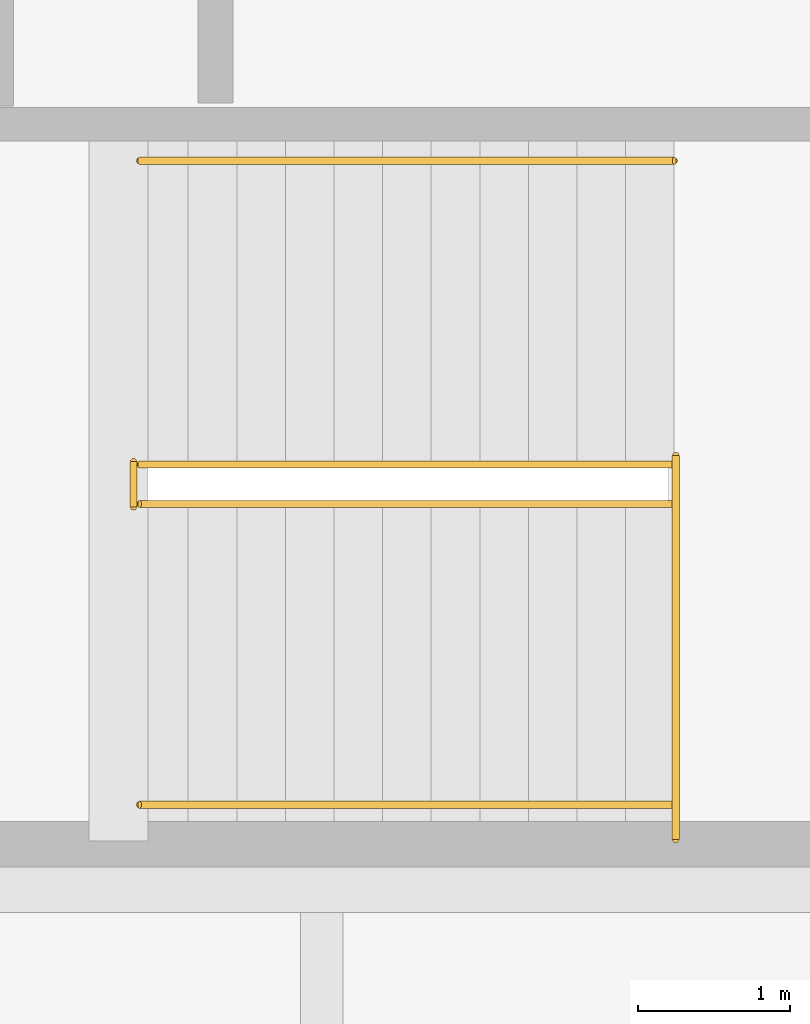
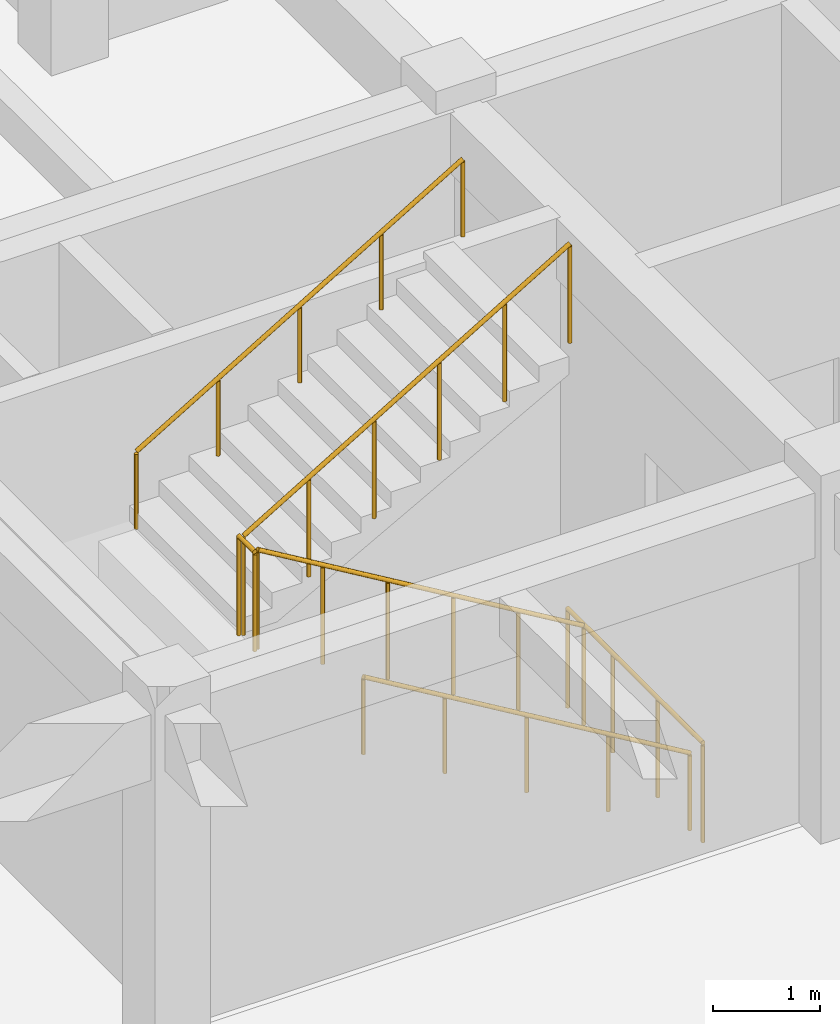
# One storey, part 103 of 103: 6 railings.
"""IFC4 building model written with IfcOpenShell, lengths in metres."""

from ifc_helpers import new_model, si_unit, direction, frame, origin, origin_2d, place, context, subcontext, project, spatial, circle, extrude, material, type_object, element, save


model = new_model("IFC4")

# Units and contexts
model_context = context("Model", 3, precision=1e-05, world=origin(), true_north=direction((0.0, 1.0)))
body_context = subcontext(model_context, "Body", "Model", "MODEL_VIEW")
ifc_project = project(units=[si_unit("LENGTHUNIT", "METRE"), si_unit("AREAUNIT", "SQUARE_METRE"), si_unit("VOLUMEUNIT", "CUBIC_METRE"), si_unit("PLANEANGLEUNIT", "RADIAN"), si_unit("MASSUNIT", "GRAM", prefix="KILO")], contexts=[model_context])

# Site, building, storey
site_placement = place(None, origin())
site = spatial("IfcSite", under=ifc_project, at=site_placement, CompositionType="ELEMENT")
building_placement = place(site_placement, origin())
building = spatial("IfcBuilding", under=site, at=building_placement, Name="Thalmaran Polytechnic", CompositionType="ELEMENT")
storey_placement = place(building_placement, frame((0.0, 0.0, 14.39990234375)))
storey = spatial("IfcBuildingStorey", under=building, at=storey_placement, Name="L03", CompositionType="ELEMENT", Elevation=14.39990234375)

# Railings
ifc_material = material(Name="Stainless steel 316", Category="steel")
railing_type_1 = type_object("IfcRailingType", Name="RL-GR01", PredefinedType="GUARDRAIL", material=ifc_material)
railing_1_placement = place(storey_placement, frame((142.72998046875, 86.64990234375, 0.0)))
element("IfcRailing", 1, at=railing_1_placement, inside=storey, type_object=railing_type_1, Name="ST5 L03 Landing Edge Guardrail", PredefinedType="GUARDRAIL", context=body_context, shape_type="SweptSolid", body=[
    extrude(circle(Radius=0.02392578125, at=origin_2d()), frame((0.0, 0.0, 1.1259765625), z_axis=(0.0, 1.0, 0.0), x_axis=(-1.0, 0.0, 0.0)), (0.0, 0.0, 1.0), 2.530029296875),
    extrude(circle(Radius=0.02099609375, at=origin_2d()), origin(), (0.0, 0.0, 1.0), 1.101806640625),
    extrude(circle(Radius=0.02099609375, at=origin_2d()), frame((0.0, 0.84326171875, 0.0)), (0.0, 0.0, 1.0), 1.101806640625),
    extrude(circle(Radius=0.02099609375, at=origin_2d()), frame((0.0, 1.686767578125, 0.0)), (0.0, 0.0, 1.0), 1.101806640625),
    extrude(circle(Radius=0.02099609375, at=origin_2d()), frame((0.0, 2.530029296875, 0.0)), (0.0, 0.0, 1.0), 1.101806640625),
])
railing_2_placement = place(storey_placement, frame((142.719970703125, 88.860107421875, 0.0)))
element("IfcRailing", 2, at=railing_2_placement, inside=storey, type_object=railing_type_1, Name="ST5 L03 Lower Flight Guardrail", PredefinedType="GUARDRAIL", context=body_context, shape_type="SweptSolid", body=[
    extrude(circle(Radius=0.02392578125, at=origin_2d()), frame((0.0, 0.0, 1.1259765625), z_axis=(-0.85877260855, 0.0, 0.512356913493), x_axis=(0.0, -1.0, 0.0)), (0.0, 0.0, 1.0), 4.098876953125),
    extrude(circle(Radius=0.02099609375, at=origin_2d()), origin(), (0.0, 0.0, 1.0), 1.101806640625),
    extrude(circle(Radius=0.02099609375, at=origin_2d()), frame((-0.7041015625, 0.0, 0.419921875)), (0.0, 0.0, 1.0), 1.101806640625),
    extrude(circle(Radius=0.02099609375, at=origin_2d()), frame((-1.407958984375, 0.0, 0.840087890625)), (0.0, 0.0, 1.0), 1.101806640625),
    extrude(circle(Radius=0.02099609375, at=origin_2d()), frame((-2.112060546875, 0.0, 1.260009765625)), (0.0, 0.0, 1.0), 1.101806640625),
    extrude(circle(Radius=0.02099609375, at=origin_2d()), frame((-2.81591796875, 0.0, 1.68017578125)), (0.0, 0.0, 1.0), 1.101806640625),
    extrude(circle(Radius=0.02099609375, at=origin_2d()), frame((-3.52001953125, 0.0, 2.10009765625)), (0.0, 0.0, 1.0), 1.101806640625),
])
railing_3_placement = place(storey_placement, frame((139.159912109375, 88.840087890625, 2.10009765625)))
element("IfcRailing", 3, at=railing_3_placement, inside=storey, type_object=railing_type_1, Name="ST5 L03 Half-Landing Well Guardrail", PredefinedType="GUARDRAIL", context=body_context, shape_type="SweptSolid", body=[
    extrude(circle(Radius=0.02392578125, at=origin_2d()), frame((0.0, 0.0, 1.1259765625), z_axis=(0.0, 1.0, 0.0), x_axis=(-1.0, 0.0, 0.0)), (0.0, 0.0, 1.0), 0.2998046875),
    extrude(circle(Radius=0.02099609375, at=origin_2d()), origin(), (0.0, 0.0, 1.0), 1.101806640625),
    extrude(circle(Radius=0.02099609375, at=origin_2d()), frame((0.0, 0.2998046875, 0.0)), (0.0, 0.0, 1.0), 1.101806640625),
])
railing_4_placement = place(storey_placement, frame((139.199951171875, 89.1201171875, 2.10009765625)))
element("IfcRailing", 4, at=railing_4_placement, inside=storey, type_object=railing_type_1, Name="ST5 L03 Upper Flight Guardrail", PredefinedType="GUARDRAIL", context=body_context, shape_type="SweptSolid", body=[
    extrude(circle(Radius=0.02392578125, at=origin_2d()), frame((0.0, 0.0, 1.1259765625), z_axis=(0.85877260855, 0.0, 0.512356913493), x_axis=(0.0, 1.0, 0.0)), (0.0, 0.0, 1.0), 4.098876953125),
    extrude(circle(Radius=0.02099609375, at=origin_2d()), origin(), (0.0, 0.0, 1.0), 1.101806640625),
    extrude(circle(Radius=0.02099609375, at=origin_2d()), frame((0.7041015625, 0.0, 0.419921875)), (0.0, 0.0, 1.0), 1.101806640625),
    extrude(circle(Radius=0.02099609375, at=origin_2d()), frame((1.407958984375, 0.0, 0.840087890625)), (0.0, 0.0, 1.0), 1.101806640625),
    extrude(circle(Radius=0.02099609375, at=origin_2d()), frame((2.112060546875, 0.0, 1.260009765625)), (0.0, 0.0, 1.0), 1.101806640625),
    extrude(circle(Radius=0.02099609375, at=origin_2d()), frame((2.81591796875, 0.0, 1.68017578125)), (0.0, 0.0, 1.0), 1.101806640625),
    extrude(circle(Radius=0.02099609375, at=origin_2d()), frame((3.52001953125, 0.0, 2.10009765625)), (0.0, 0.0, 1.0), 1.101806640625),
])
railing_type_2 = type_object("IfcRailingType", Name="RL-HR01", PredefinedType="HANDRAIL", material=ifc_material)
railing_5_placement = place(storey_placement, frame((142.719970703125, 86.8798828125, 0.0)))
element("IfcRailing", 5, at=railing_5_placement, inside=storey, type_object=railing_type_2, Name="ST5 L03 Flight 1 Handrail", PredefinedType="HANDRAIL", context=body_context, shape_type="SweptSolid", body=[
    extrude(circle(Radius=0.02392578125, at=origin_2d()), frame((0.0, 0.0, 0.8759765625), z_axis=(-0.85877260855, 0.0, 0.512356913493), x_axis=(0.0, -1.0, 0.0)), (0.0, 0.0, 1.0), 4.098876953125),
    extrude(circle(Radius=0.02099609375, at=origin_2d()), origin(), (0.0, 0.0, 1.0), 0.851806640625),
    extrude(circle(Radius=0.02099609375, at=origin_2d()), frame((-0.8798828125, 0.0, 0.52490234375)), (0.0, 0.0, 1.0), 0.851806640625),
    extrude(circle(Radius=0.02099609375, at=origin_2d()), frame((-1.760009765625, 0.0, 1.050048828125)), (0.0, 0.0, 1.0), 0.851806640625),
    extrude(circle(Radius=0.02099609375, at=origin_2d()), frame((-2.64013671875, 0.0, 1.5751953125)), (0.0, 0.0, 1.0), 0.851806640625),
    extrude(circle(Radius=0.02099609375, at=origin_2d()), frame((-3.52001953125, 0.0, 2.10009765625)), (0.0, 0.0, 1.0), 0.851806640625),
])
railing_6_placement = place(storey_placement, frame((139.199951171875, 91.1201171875, 2.10009765625)))
element("IfcRailing", 6, at=railing_6_placement, inside=storey, type_object=railing_type_2, Name="ST5 L03 Flight 2 Handrail", PredefinedType="HANDRAIL", context=body_context, shape_type="SweptSolid", body=[
    extrude(circle(Radius=0.02392578125, at=origin_2d()), frame((0.0, 0.0, 0.8759765625), z_axis=(0.85877260855, 0.0, 0.512356913493), x_axis=(0.0, 1.0, 0.0)), (0.0, 0.0, 1.0), 4.098876953125),
    extrude(circle(Radius=0.02099609375, at=origin_2d()), origin(), (0.0, 0.0, 1.0), 0.851806640625),
    extrude(circle(Radius=0.02099609375, at=origin_2d()), frame((0.8798828125, 0.0, 0.52490234375)), (0.0, 0.0, 1.0), 0.851806640625),
    extrude(circle(Radius=0.02099609375, at=origin_2d()), frame((1.760009765625, 0.0, 1.050048828125)), (0.0, 0.0, 1.0), 0.851806640625),
    extrude(circle(Radius=0.02099609375, at=origin_2d()), frame((2.64013671875, 0.0, 1.5751953125)), (0.0, 0.0, 1.0), 0.851806640625),
    extrude(circle(Radius=0.02099609375, at=origin_2d()), frame((3.52001953125, 0.0, 2.10009765625)), (0.0, 0.0, 1.0), 0.851806640625),
])

save(model, "model.ifc")
